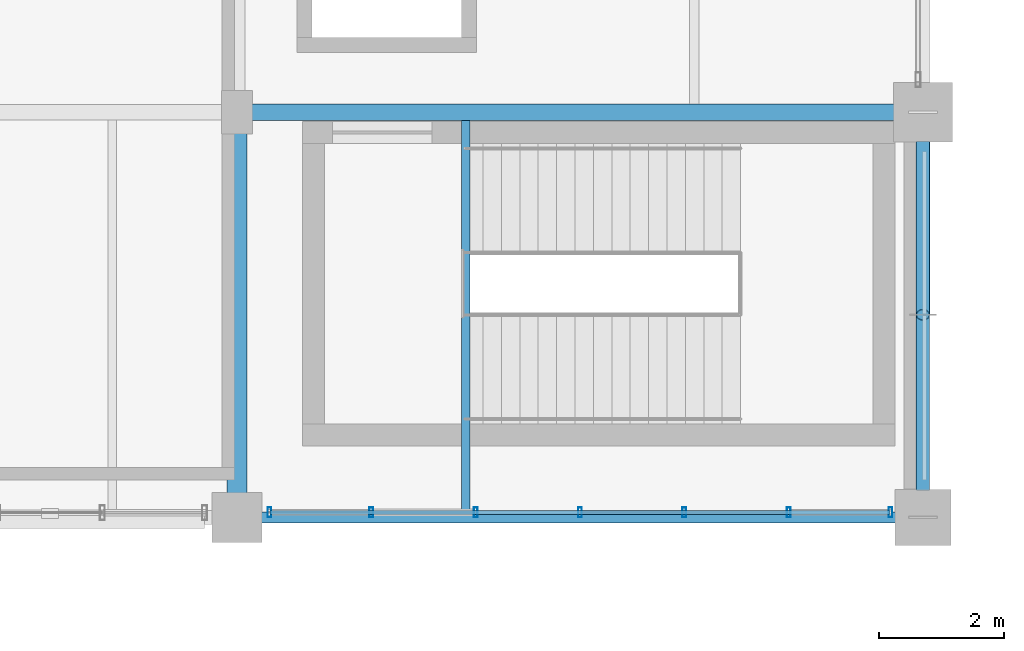
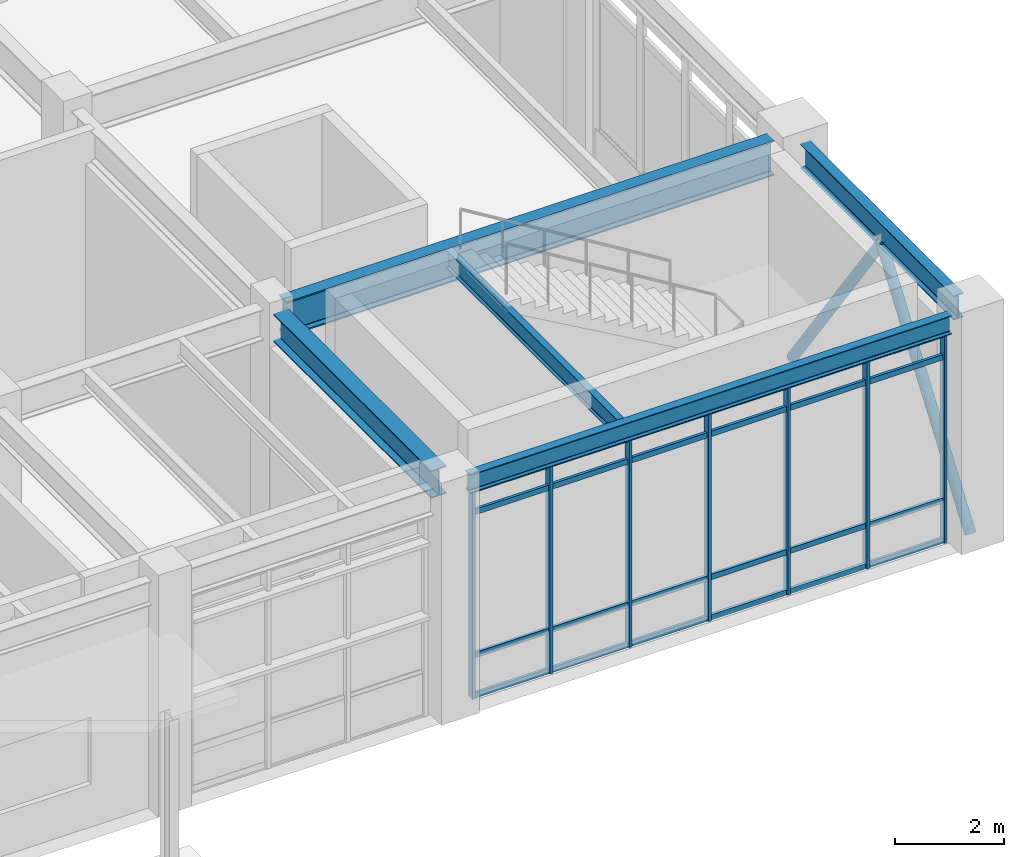
# One storey, part 109 of 203: 13 members, 5 beams, 1 element without a shape of its own.
"""IFC4 building model written with IfcOpenShell, lengths in metres."""

from ifc_helpers import new_model, si_unit, direction, frame, origin, origin_2d, place, context, subcontext, project, spatial, hollow_rectangle, hollow_circle, i_section, extrude, material, material_profile, profile_set, type_object, element, aggregate, save


model = new_model("IFC4")

# Units and contexts
model_context = context("Model", 3, precision=1e-05, world=origin(), true_north=direction((0.0, 1.0)))
body_context = subcontext(model_context, "Body", "Model", "MODEL_VIEW")
ifc_project = project(units=[si_unit("LENGTHUNIT", "METRE"), si_unit("AREAUNIT", "SQUARE_METRE"), si_unit("VOLUMEUNIT", "CUBIC_METRE"), si_unit("PLANEANGLEUNIT", "RADIAN"), si_unit("MASSUNIT", "GRAM", prefix="KILO"), si_unit("THERMODYNAMICTEMPERATUREUNIT", "KELVIN"), si_unit("POWERUNIT", "WATT")], contexts=[model_context])

# Site, building, storey
site_placement = place(None, origin())
site = spatial("IfcSite", under=ifc_project, at=site_placement, CompositionType="ELEMENT")
building_placement = place(site_placement, origin())
building = spatial("IfcBuilding", under=site, at=building_placement, Name="Tepalcoro Natatorium and Aquatics Centre", CompositionType="ELEMENT")
storey_placement = place(building_placement, origin())
storey = spatial("IfcBuildingStorey", under=building, at=storey_placement, Name="L00", CompositionType="ELEMENT", Elevation=0.0)

# Beams
ifc_material_1 = material(Name="Steel ASTM A992 Grade 50 (Fy 345 MPa)", Category="steel")
ifc_material_profile_1 = material_profile(ifc_material_1, i_section(OverallWidth=0.324951171875, OverallDepth=0.616943359375, WebThickness=0.013916015625, FlangeThickness=0.02197265625, FilletRadius=0.013916015625, at=origin_2d()), Name="W24X117")
ifc_profile_set_1 = profile_set([ifc_material_profile_1], Name="Steel ASTM A992 Grade 50 (Fy 345 MPa)")
beam_type_1 = type_object("IfcBeamType", Name="BM_W24x117", PredefinedType="BEAM", material=ifc_profile_set_1)
beam_1_placement = place(storey_placement, frame((165.0, 6.885009765625, 4.81640625), z_axis=(0.0, 1.0, 0.0), x_axis=(-1.0, 0.0, 0.0)))
element("IfcBeam", 1, at=beam_1_placement, inside=storey, type_object=beam_type_1, Name="V2 L00 Grid Girder Y", PredefinedType="BEAM", context=body_context, shape_type="SweptSolid", body=[
    extrude(i_section(OverallWidth=0.324951171875, OverallDepth=0.616943359375, WebThickness=0.013916015625, FlangeThickness=0.02197265625, FilletRadius=0.013916015625, at=origin_2d()), origin(), (0.0, 0.0, 1.0), 5.780029296875),
])
ifc_material_profile_2 = material_profile(ifc_material_1, i_section(OverallWidth=0.26708984375, OverallDepth=0.780029296875, WebThickness=0.01708984375, FlangeThickness=0.030029296875, FilletRadius=0.013916015625, at=origin_2d()), Name="W30X148")
ifc_profile_set_2 = profile_set([ifc_material_profile_2], Name="Steel ASTM A992 Grade 50 (Fy 345 MPa)")
beam_type_2 = type_object("IfcBeamType", Name="BM_W30x148", PredefinedType="BEAM", material=ifc_profile_set_2)
beam_2_placement = place(storey_placement, frame((165.235107421875, 13.0, 4.735107421875), z_axis=(1.0, 0.0, 0.0), x_axis=(0.0, 1.0, 0.0)))
element("IfcBeam", 2, at=beam_2_placement, inside=storey, type_object=beam_type_2, Name="V2 L00 Grid Girder X", PredefinedType="BEAM", context=body_context, shape_type="SweptSolid", body=[
    extrude(i_section(OverallWidth=0.26708984375, OverallDepth=0.780029296875, WebThickness=0.01708984375, FlangeThickness=0.030029296875, FilletRadius=0.013916015625, at=origin_2d()), origin(), (0.0, 0.0, 1.0), 10.304931640625),
])

# Curtain wall, members
ifc_material_2 = material(Name="Bronze-Anodised Extruded Aluminium Alloy EN AW-6063 T6", Category="aluminium")
curtain_wall_type = type_object("IfcCurtainWallType", Name="CW_V5_LOWER", PredefinedType="USERDEFINED", material=ifc_material_2)
curtain_wall_placement = place(storey_placement, origin())
curtain_wall = element("IfcCurtainWall", 3, at=curtain_wall_placement, inside=storey, type_object=curtain_wall_type, Name="V2 L00 S Unitised Curtain Wall Bay 4", ObjectType="UNITISED STOREFRONT", PredefinedType="USERDEFINED")
ifc_material_profile_3 = material_profile(ifc_material_2, hollow_rectangle(XDim=0.06005859375, YDim=0.159912109375, WallThickness=0.00390625, at=origin_2d()), Name="AL60X160X4")
ifc_profile_set_3 = profile_set([ifc_material_profile_3], Name="Bronze-Anodised Extruded Aluminium Alloy EN AW-6063 T6")
member_type_1 = type_object("IfcMemberType", Name="CW_MUL_60x160", PredefinedType="MULLION", material=ifc_profile_set_3)
member_1_placement = place(storey_placement, frame((165.52001953125, 6.580078125, 0.02001953125), z_axis=(0.0, 0.0, 1.0), x_axis=(1.0, 0.0, 0.0)))
member_1 = element("IfcMember", 4, at=member_1_placement, type_object=member_type_1, Name="CW_V5_LOWER Curtain Wall Mullion", PredefinedType="MULLION", context=body_context, shape_type="SweptSolid", body=[
    extrude(hollow_rectangle(XDim=0.06005859375, YDim=0.159912109375, WallThickness=0.00390625, at=origin_2d()), origin(), (0.0, 0.0, 1.0), 4.656982421875),
])
member_2_placement = place(storey_placement, frame((167.1533203125, 6.580078125, 0.02001953125), z_axis=(0.0, 0.0, 1.0), x_axis=(1.0, 0.0, 0.0)))
member_2 = element("IfcMember", 5, at=member_2_placement, type_object=member_type_1, Name="CW_V5_LOWER Curtain Wall Mullion", PredefinedType="MULLION", context=body_context, shape_type="SweptSolid", body=[
    extrude(hollow_rectangle(XDim=0.06005859375, YDim=0.159912109375, WallThickness=0.00390625, at=origin_2d()), origin(), (0.0, 0.0, 1.0), 4.656982421875),
])
member_3_placement = place(storey_placement, frame((168.82666015625, 6.580078125, 0.02001953125), z_axis=(0.0, 0.0, 1.0), x_axis=(1.0, 0.0, 0.0)))
member_3 = element("IfcMember", 6, at=member_3_placement, type_object=member_type_1, Name="CW_V5_LOWER Curtain Wall Mullion", PredefinedType="MULLION", context=body_context, shape_type="SweptSolid", body=[
    extrude(hollow_rectangle(XDim=0.06005859375, YDim=0.159912109375, WallThickness=0.00390625, at=origin_2d()), origin(), (0.0, 0.0, 1.0), 4.656982421875),
])
member_4_placement = place(storey_placement, frame((170.5, 6.580078125, 0.02001953125), z_axis=(0.0, 0.0, 1.0), x_axis=(1.0, 0.0, 0.0)))
member_4 = element("IfcMember", 7, at=member_4_placement, type_object=member_type_1, Name="CW_V5_LOWER Curtain Wall Mullion", PredefinedType="MULLION", context=body_context, shape_type="SweptSolid", body=[
    extrude(hollow_rectangle(XDim=0.06005859375, YDim=0.159912109375, WallThickness=0.00390625, at=origin_2d()), origin(), (0.0, 0.0, 1.0), 4.656982421875),
])
member_5_placement = place(storey_placement, frame((172.17333984375, 6.580078125, 0.02001953125), z_axis=(0.0, 0.0, 1.0), x_axis=(1.0, 0.0, 0.0)))
member_5 = element("IfcMember", 8, at=member_5_placement, type_object=member_type_1, Name="CW_V5_LOWER Curtain Wall Mullion", PredefinedType="MULLION", context=body_context, shape_type="SweptSolid", body=[
    extrude(hollow_rectangle(XDim=0.06005859375, YDim=0.159912109375, WallThickness=0.00390625, at=origin_2d()), origin(), (0.0, 0.0, 1.0), 4.656982421875),
])
member_6_placement = place(storey_placement, frame((173.8466796875, 6.580078125, 0.02001953125), z_axis=(0.0, 0.0, 1.0), x_axis=(1.0, 0.0, 0.0)))
member_6 = element("IfcMember", 9, at=member_6_placement, type_object=member_type_1, Name="CW_V5_LOWER Curtain Wall Mullion", PredefinedType="MULLION", context=body_context, shape_type="SweptSolid", body=[
    extrude(hollow_rectangle(XDim=0.06005859375, YDim=0.159912109375, WallThickness=0.00390625, at=origin_2d()), origin(), (0.0, 0.0, 1.0), 4.656982421875),
])
member_7_placement = place(storey_placement, frame((175.47998046875, 6.580078125, 0.02001953125), z_axis=(0.0, 0.0, 1.0), x_axis=(1.0, 0.0, 0.0)))
member_7 = element("IfcMember", 10, at=member_7_placement, type_object=member_type_1, Name="CW_V5_LOWER Curtain Wall Mullion", PredefinedType="MULLION", context=body_context, shape_type="SweptSolid", body=[
    extrude(hollow_rectangle(XDim=0.06005859375, YDim=0.159912109375, WallThickness=0.00390625, at=origin_2d()), origin(), (0.0, 0.0, 1.0), 4.656982421875),
])
ifc_material_profile_4 = material_profile(ifc_material_2, hollow_rectangle(XDim=0.06005859375, YDim=0.1201171875, WallThickness=0.00390625, at=origin_2d()), Name="AL60X120X4")
ifc_profile_set_4 = profile_set([ifc_material_profile_4], Name="Bronze-Anodised Extruded Aluminium Alloy EN AW-6063 T6")
member_type_2 = type_object("IfcMemberType", Name="CW_TRN_60x120", PredefinedType="USERDEFINED", material=ifc_profile_set_4)
member_8_placement = place(storey_placement, frame((165.530029296875, 6.580078125, 0.050048828125), z_axis=(1.0, 0.0, 0.0), x_axis=(0.0, 1.0, 0.0)))
member_8 = element("IfcMember", 11, at=member_8_placement, type_object=member_type_2, Name="CW_V5_LOWER Curtain Wall Transom", ObjectType="TRANSOM", PredefinedType="USERDEFINED", context=body_context, shape_type="SweptSolid", body=[
    extrude(hollow_rectangle(XDim=0.06005859375, YDim=0.1201171875, WallThickness=0.00390625, at=origin_2d()), origin(), (0.0, 0.0, 1.0), 9.93994140625),
])
member_9_placement = place(storey_placement, frame((165.530029296875, 6.580078125, 0.949951171875), z_axis=(1.0, 0.0, 0.0), x_axis=(0.0, 1.0, 0.0)))
member_9 = element("IfcMember", 12, at=member_9_placement, type_object=member_type_2, Name="CW_V5_LOWER Curtain Wall Transom", ObjectType="TRANSOM", PredefinedType="USERDEFINED", context=body_context, shape_type="SweptSolid", body=[
    extrude(hollow_rectangle(XDim=0.06005859375, YDim=0.1201171875, WallThickness=0.00390625, at=origin_2d()), origin(), (0.0, 0.0, 1.0), 9.93994140625),
])
member_10_placement = place(storey_placement, frame((165.530029296875, 6.580078125, 4.14697265625), z_axis=(1.0, 0.0, 0.0), x_axis=(0.0, 1.0, 0.0)))
member_10 = element("IfcMember", 13, at=member_10_placement, type_object=member_type_2, Name="CW_V5_LOWER Curtain Wall Transom", ObjectType="TRANSOM", PredefinedType="USERDEFINED", context=body_context, shape_type="SweptSolid", body=[
    extrude(hollow_rectangle(XDim=0.06005859375, YDim=0.1201171875, WallThickness=0.00390625, at=origin_2d()), origin(), (0.0, 0.0, 1.0), 9.93994140625),
])
member_11_placement = place(storey_placement, frame((165.530029296875, 6.580078125, 4.64697265625), z_axis=(1.0, 0.0, 0.0), x_axis=(0.0, 1.0, 0.0)))
member_11 = element("IfcMember", 14, at=member_11_placement, type_object=member_type_2, Name="CW_V5_LOWER Curtain Wall Transom", ObjectType="TRANSOM", PredefinedType="USERDEFINED", context=body_context, shape_type="SweptSolid", body=[
    extrude(hollow_rectangle(XDim=0.06005859375, YDim=0.1201171875, WallThickness=0.00390625, at=origin_2d()), origin(), (0.0, 0.0, 1.0), 9.93994140625),
])
aggregate(curtain_wall, [member_1, member_2, member_3, member_4, member_5, member_6, member_7, member_8, member_9, member_10, member_11])

# Beam
ifc_material_profile_5 = material_profile(ifc_material_1, i_section(OverallWidth=0.139892578125, OverallDepth=0.404052734375, WebThickness=0.007080078125, FlangeThickness=0.010986328125, FilletRadius=0.013916015625, at=origin_2d()), Name="W16X31")
ifc_profile_set_5 = profile_set([ifc_material_profile_5], Name="Steel ASTM A992 Grade 50 (Fy 345 MPa)")
beam_type_3 = type_object("IfcBeamType", Name="JS_W16x31", PredefinedType="JOIST", material=ifc_profile_set_5)
beam_3_placement = place(storey_placement, frame((168.666748046875, 6.590087890625, 4.923095703125), z_axis=(0.0, 1.0, 0.0), x_axis=(-1.0, 0.0, 0.0)))
element("IfcBeam", 15, at=beam_3_placement, inside=storey, type_object=beam_type_3, Name="V2 L00 Floor Joist", PredefinedType="JOIST", context=body_context, shape_type="SweptSolid", body=[
    extrude(i_section(OverallWidth=0.139892578125, OverallDepth=0.404052734375, WebThickness=0.007080078125, FlangeThickness=0.010986328125, FilletRadius=0.013916015625, at=origin_2d()), origin(), (0.0, 0.0, 1.0), 6.2763671875),
])

# Members
ifc_material_3 = material(Name="Hollow Steel ASTM A500 Grade C (Fy 345 MPa)", Category="steel")
ifc_material_profile_6 = material_profile(ifc_material_3, hollow_circle(Radius=0.109619140625, WallThickness=0.011962890625, at=origin_2d()), Name="CHS219X12")
ifc_profile_set_6 = profile_set([ifc_material_profile_6], Name="Hollow Steel ASTM A500 Grade C (Fy 345 MPa)")
member_type_3 = type_object("IfcMemberType", Name="MB_BR_CHS219x12", PredefinedType="BRACE", material=ifc_profile_set_6)
for number, where, z_axis, x_axis, name in (
    (16, (176.0, 6.5, 0.050048828125), (0.0, 0.583782425242, 0.811910142798), (-1.0, 0.0, 0.0), "V2 L00 Chevron Lateral Brace"),
    (17, (176.0, 13.0, 0.050048828125), (0.0, -0.583782425242, 0.811910142798), (1.0, 0.0, 0.0), "V2 L00 Chevron Lateral Brace"),
):
    element("IfcMember", number, at=place(storey_placement, frame(where, z_axis=z_axis, x_axis=x_axis)), inside=storey, type_object=member_type_3, Name=name, PredefinedType="BRACE", context=body_context, shape_type="SweptSolid", body=[
        extrude(hollow_circle(Radius=0.109619140625, WallThickness=0.011962890625, at=origin_2d()), origin(), (0.0, 0.0, 1.0), 5.567138671875),
    ])

# Beams
ifc_material_profile_7 = material_profile(ifc_material_1, i_section(OverallWidth=0.179931640625, OverallDepth=0.4130859375, WebThickness=0.010009765625, FlangeThickness=0.01611328125, FilletRadius=0.013916015625, at=origin_2d()), Name="W16X50")
ifc_profile_set_7 = profile_set([ifc_material_profile_7], Name="Steel ASTM A992 Grade 50 (Fy 345 MPa)")
beam_type_4 = type_object("IfcBeamType", Name="SP_HSS300x200x12", PredefinedType="SPANDREL", material=ifc_profile_set_7)
beam_4_placement = place(storey_placement, frame((165.385009765625, 6.5, 4.91845703125), z_axis=(1.0, 0.0, 0.0), x_axis=(0.0, 1.0, 0.0)))
element("IfcBeam", 18, at=beam_4_placement, inside=storey, type_object=beam_type_4, Name="V2 L00 Grid Girder X", PredefinedType="SPANDREL", context=body_context, shape_type="SweptSolid", body=[
    extrude(i_section(OverallWidth=0.179931640625, OverallDepth=0.4130859375, WebThickness=0.010009765625, FlangeThickness=0.01611328125, FilletRadius=0.013916015625, at=origin_2d()), origin(), (0.0, 0.0, 1.0), 10.179931640625),
])
ifc_material_profile_8 = material_profile(ifc_material_1, i_section(OverallWidth=0.2099609375, OverallDepth=0.535888671875, WebThickness=0.010986328125, FlangeThickness=0.01708984375, FilletRadius=0.013916015625, at=origin_2d()), Name="W21X68")
ifc_profile_set_8 = profile_set([ifc_material_profile_8], Name="Steel ASTM A992 Grade 50 (Fy 345 MPa)")
beam_type_5 = type_object("IfcBeamType", Name="SP_W21x68", PredefinedType="SPANDREL", material=ifc_profile_set_8)
beam_5_placement = place(storey_placement, frame((176.0, 6.93505859375, 4.85693359375), z_axis=(0.0, 1.0, 0.0), x_axis=(-1.0, 0.0, 0.0)))
element("IfcBeam", 19, at=beam_5_placement, inside=storey, type_object=beam_type_5, Name="V2 L00 Grid Girder Y", PredefinedType="SPANDREL", context=body_context, shape_type="SweptSolid", body=[
    extrude(i_section(OverallWidth=0.2099609375, OverallDepth=0.535888671875, WebThickness=0.010986328125, FlangeThickness=0.01708984375, FilletRadius=0.013916015625, at=origin_2d()), origin(), (0.0, 0.0, 1.0), 5.60498046875),
])

save(model, "model.ifc")
